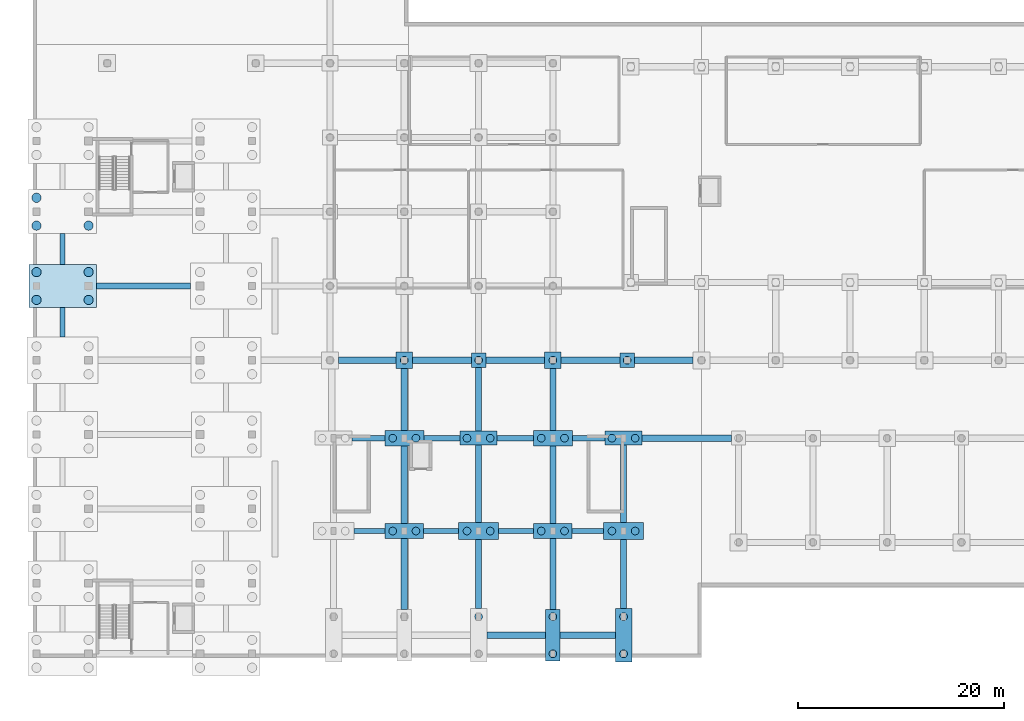
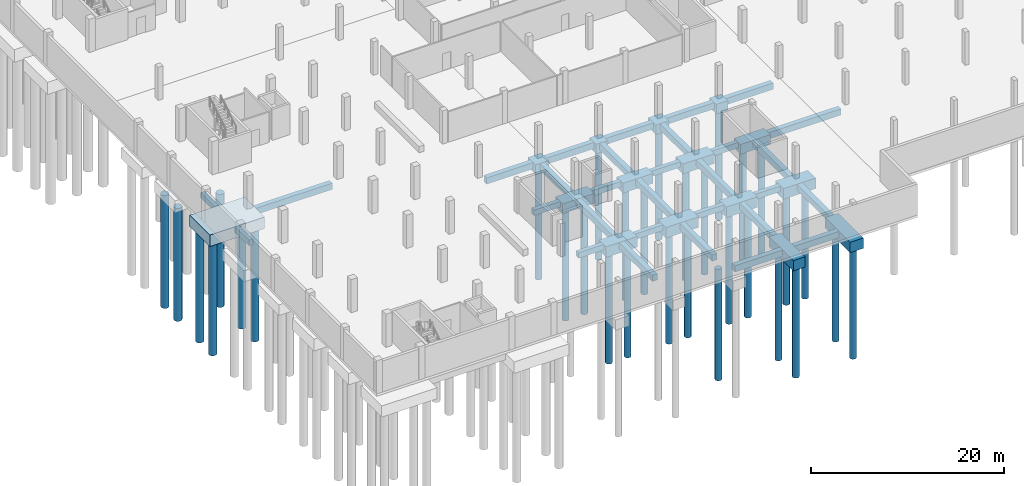
# One storey, part 2 of 36: 45 footings, 32 piles.
"""IFC4 building model written with IfcOpenShell, lengths in metres."""

from ifc_helpers import new_model, si_unit, derived_unit, direction, frame, origin, origin_2d, place, context, subcontext, project, spatial, polyline, rectangle, circle, outline, extrude, material, material_profile, profile_set, type_object, element, save


model = new_model("IFC4")

# Units and contexts
model_context = context("Model", 3, precision=1e-05, world=origin(), true_north=direction((0.0, 1.0)))
body_context = subcontext(model_context, "Body", "Model", "MODEL_VIEW")
ifc_project = project(units=[si_unit("LENGTHUNIT", "METRE"), si_unit("AREAUNIT", "SQUARE_METRE"), si_unit("VOLUMEUNIT", "CUBIC_METRE"), si_unit("PLANEANGLEUNIT", "RADIAN"), si_unit("MASSUNIT", "GRAM", prefix="KILO"), derived_unit("THERMALTRANSMITTANCEUNIT", [(si_unit("MASSUNIT", "GRAM", prefix="KILO"), 1), (si_unit("TIMEUNIT", "SECOND"), -3), (si_unit("THERMODYNAMICTEMPERATUREUNIT", "KELVIN"), -1)])], contexts=[model_context])

# Site, building, storey
site_placement = place(None, origin())
site = spatial("IfcSite", under=ifc_project, at=site_placement, CompositionType="ELEMENT")
building_placement = place(site_placement, origin())
building = spatial("IfcBuilding", under=site, at=building_placement, Name="Ochrekiln Boulevard Commons", CompositionType="ELEMENT")
storey_placement = place(building_placement, frame((0.0, 0.0, -4.199951171875)))
storey = spatial("IfcBuildingStorey", under=building, at=storey_placement, Name="B1", CompositionType="ELEMENT", Elevation=-4.199951171875)

# Footings
ifc_material = material(Name="Concrete C35/45", Category="concrete")
footing_type_1 = type_object("IfcFootingType", Name="CAP-RC-1410x1410x1200", PredefinedType="PILE_CAP", material=ifc_material)
for number, where, z_axis, x_axis, name in (
    (1, (43.199951171875, 28.800048828125, -1.5), (0.0, 0.0, 1.0), (1.0, 0.0, 0.0), "Reinforced Concrete Pile Cap PC-28 (61)"),
    (2, (57.60009765625, 28.800048828125, -1.5), (0.0, 0.0, 1.0), (1.0, 0.0, 0.0), "Reinforced Concrete Pile Cap PC-28 (79)"),
):
    element("IfcFooting", number, at=place(storey_placement, frame(where, z_axis=z_axis, x_axis=x_axis)), inside=storey, type_object=footing_type_1, Name=name, PredefinedType="PILE_CAP", context=body_context, shape_type="SweptSolid", body=[
        extrude(rectangle(XDim=1.409912109375, YDim=1.409912109375, at=origin_2d()), origin(), (0.0, 0.0, 1.0), 1.199951171875),
    ])
footing_type_2 = type_object("IfcFootingType", Name="CAP-RC-1410x5010x1300", PredefinedType="PILE_CAP", material=ifc_material)
footing_1_placement = place(storey_placement, frame((50.39990234375, 2.14990234375, -1.60009765625), z_axis=(0.0, 0.0, 1.0), x_axis=(1.0, 0.0, 0.0)))
element("IfcFooting", 3, at=footing_1_placement, inside=storey, type_object=footing_type_2, Name="Reinforced Concrete Pile Cap PC-34 (67)", PredefinedType="PILE_CAP", context=body_context, shape_type="SweptSolid", body=[
    extrude(rectangle(XDim=1.409912109375, YDim=5.010009765625, at=origin_2d()), origin(), (0.0, 0.0, 1.0), 1.300048828125),
])
footing_type_3 = type_object("IfcFootingType", Name="CAP-RC-1590x1590x1200", PredefinedType="PILE_CAP", material=ifc_material)
for number, where, z_axis, x_axis, name in (
    (4, (36.0, 28.800048828125, -1.5), (0.0, 0.0, 1.0), (1.0, 0.0, 0.0), "Reinforced Concrete Pile Cap PC-26 (52)"),
    (5, (50.39990234375, 28.800048828125, -1.5), (0.0, 0.0, 1.0), (1.0, 0.0, 0.0), "Reinforced Concrete Pile Cap PC-26 (70)"),
):
    element("IfcFooting", number, at=place(storey_placement, frame(where, z_axis=z_axis, x_axis=x_axis)), inside=storey, type_object=footing_type_3, Name=name, PredefinedType="PILE_CAP", context=body_context, shape_type="SweptSolid", body=[
        extrude(rectangle(XDim=1.590087890625, YDim=1.590087890625, at=origin_2d()), origin(), (0.0, 0.0, 1.0), 1.199951171875),
    ])
footing_type_4 = type_object("IfcFootingType", Name="CAP-RC-1590x5190x1300", PredefinedType="PILE_CAP", material=ifc_material)
footing_2_placement = place(storey_placement, frame((57.25, 2.14990234375, -1.60009765625), z_axis=(0.0, 0.0, 1.0), x_axis=(1.0, 0.0, 0.0)))
element("IfcFooting", 6, at=footing_2_placement, inside=storey, type_object=footing_type_4, Name="Reinforced Concrete Pile Cap PC-31 (76)", PredefinedType="PILE_CAP", context=body_context, shape_type="SweptSolid", body=[
    extrude(rectangle(XDim=1.590087890625, YDim=5.18994140625, at=origin_2d()), origin(), (0.0, 0.0, 1.0), 1.300048828125),
])
footing_type_5 = type_object("IfcFootingType", Name="CAP-RC-3600x1350x1250", PredefinedType="PILE_CAP", material=ifc_material)
for number, where, z_axis, x_axis, name in (
    (7, (43.199951171875, 21.25, -1.550048828125), (0.0, 0.0, 1.0), (1.0, 0.0, 0.0), "Reinforced Concrete Pile Cap PC-33 (60)"),
    (8, (57.25, 21.25, -1.550048828125), (0.0, 0.0, 1.0), (1.0, 0.0, 0.0), "Reinforced Concrete Pile Cap PC-33 (78)"),
):
    element("IfcFooting", number, at=place(storey_placement, frame(where, z_axis=z_axis, x_axis=x_axis)), inside=storey, type_object=footing_type_5, Name=name, PredefinedType="PILE_CAP", context=body_context, shape_type="SweptSolid", body=[
        extrude(rectangle(XDim=3.60009765625, YDim=1.35009765625, at=origin_2d()), origin(), (0.0, 0.0, 1.0), 1.25),
    ])
footing_type_6 = type_object("IfcFootingType", Name="CAP-RC-3720x1470x1350", PredefinedType="PILE_CAP", material=ifc_material)
for number, where, z_axis, x_axis, name in (
    (9, (36.0, 12.25, -1.650146484375), (0.0, 0.0, 1.0), (1.0, 0.0, 0.0), "Reinforced Concrete Pile Cap PC-35 (50)"),
    (10, (50.39990234375, 12.25, -1.650146484375), (0.0, 0.0, 1.0), (1.0, 0.0, 0.0), "Reinforced Concrete Pile Cap PC-35 (68)"),
):
    element("IfcFooting", number, at=place(storey_placement, frame(where, z_axis=z_axis, x_axis=x_axis)), inside=storey, type_object=footing_type_6, Name=name, PredefinedType="PILE_CAP", context=body_context, shape_type="SweptSolid", body=[
        extrude(rectangle(XDim=3.719970703125, YDim=1.469970703125, at=origin_2d()), origin(), (0.0, 0.0, 1.0), 1.35009765625),
    ])
footing_type_7 = type_object("IfcFootingType", Name="CAP-RC-3780x1530x1250", PredefinedType="PILE_CAP", material=ifc_material)
for number, where, z_axis, x_axis, name in (
    (11, (36.0, 21.25, -1.550048828125), (0.0, 0.0, 1.0), (1.0, 0.0, 0.0), "Reinforced Concrete Pile Cap PC-36 (51)"),
    (12, (50.39990234375, 21.25, -1.550048828125), (0.0, 0.0, 1.0), (1.0, 0.0, 0.0), "Reinforced Concrete Pile Cap PC-36 (69)"),
):
    element("IfcFooting", number, at=place(storey_placement, frame(where, z_axis=z_axis, x_axis=x_axis)), inside=storey, type_object=footing_type_7, Name=name, PredefinedType="PILE_CAP", context=body_context, shape_type="SweptSolid", body=[
        extrude(rectangle(XDim=3.780029296875, YDim=1.530029296875, at=origin_2d()), origin(), (0.0, 0.0, 1.0), 1.25),
    ])
footing_type_8 = type_object("IfcFootingType", Name="CAP-RC-3900x1650x1350", PredefinedType="PILE_CAP", material=ifc_material)
for number, where, z_axis, x_axis, name in (
    (13, (43.199951171875, 12.25, -1.650146484375), (0.0, 0.0, 1.0), (1.0, 0.0, 0.0), "Reinforced Concrete Pile Cap PC-32 (59)"),
    (14, (57.25, 12.25, -1.650146484375), (0.0, 0.0, 1.0), (1.0, 0.0, 0.0), "Reinforced Concrete Pile Cap PC-32 (77)"),
):
    element("IfcFooting", number, at=place(storey_placement, frame(where, z_axis=z_axis, x_axis=x_axis)), inside=storey, type_object=footing_type_8, Name=name, PredefinedType="PILE_CAP", context=body_context, shape_type="SweptSolid", body=[
        extrude(rectangle(XDim=3.89990234375, YDim=1.64990234375, at=origin_2d()), origin(), (0.0, 0.0, 1.0), 1.35009765625),
    ])
footing_type_9 = type_object("IfcFootingType", Name="CAP-RC-6550x4200x1450", PredefinedType="PILE_CAP", material=ifc_material)
footing_3_placement = place(storey_placement, frame((2.875, 36.0, -1.75), z_axis=(0.0, 0.0, 1.0), x_axis=(1.0, 0.0, 0.0)))
element("IfcFooting", 15, at=footing_3_placement, inside=storey, type_object=footing_type_9, Name="Reinforced Concrete Pile Cap PC-06 (6)", PredefinedType="PILE_CAP", context=body_context, shape_type="SweptSolid", body=[
    extrude(rectangle(XDim=6.550048828125, YDim=4.199951171875, at=origin_2d()), origin(), (0.0, 0.0, 1.0), 1.449951171875),
])
footing_type_10 = type_object("IfcFootingType", Name="FTG-BEAM-500x700", PredefinedType="FOOTING_BEAM", material=ifc_material)
footing_4_placement = place(storey_placement, frame((0.0, 0.0, -1.0)))
element("IfcFooting", 16, at=footing_4_placement, inside=storey, type_object=footing_type_10, Name="Seismic Footing Tie Beam FB-5070 X-14", PredefinedType="FOOTING_BEAM", context=body_context, shape_type="SweptSolid", body=[
    extrude(outline(polyline([(30.949951171875, 21.0), (34.110107421875, 21.0), (34.110107421875, 21.5), (30.949951171875, 21.5), (30.949951171875, 21.0)])), origin(), (0.0, 0.0, 1.0), 0.699951171875),
])
footing_5_placement = place(storey_placement, frame((0.0, 0.0, -1.0)))
element("IfcFooting", 17, at=footing_5_placement, inside=storey, type_object=footing_type_10, Name="Seismic Footing Tie Beam FB-5070 X-15", PredefinedType="FOOTING_BEAM", context=body_context, shape_type="SweptSolid", body=[
    extrude(outline(polyline([(37.889892578125, 21.0), (41.39990234375, 21.0), (41.39990234375, 21.5), (37.889892578125, 21.5), (37.889892578125, 21.0)])), origin(), (0.0, 0.0, 1.0), 0.699951171875),
])
footing_6_placement = place(storey_placement, frame((0.0, 0.0, -1.0)))
element("IfcFooting", 18, at=footing_6_placement, inside=storey, type_object=footing_type_10, Name="Seismic Footing Tie Beam FB-5070 X-16", PredefinedType="FOOTING_BEAM", context=body_context, shape_type="SweptSolid", body=[
    extrude(outline(polyline([(45.0, 21.0), (48.510009765625, 21.0), (48.510009765625, 21.5), (45.0, 21.5), (45.0, 21.0)])), origin(), (0.0, 0.0, 1.0), 0.699951171875),
])
footing_7_placement = place(storey_placement, frame((0.0, 0.0, -1.0)))
element("IfcFooting", 19, at=footing_7_placement, inside=storey, type_object=footing_type_10, Name="Seismic Footing Tie Beam FB-5070 X-17", PredefinedType="FOOTING_BEAM", context=body_context, shape_type="SweptSolid", body=[
    extrude(outline(polyline([(52.2900390625, 21.0), (55.449951171875, 21.0), (55.449951171875, 21.5), (52.2900390625, 21.5), (52.2900390625, 21.0)])), origin(), (0.0, 0.0, 1.0), 0.699951171875),
])
footing_8_placement = place(storey_placement, frame((0.0, 0.0, -1.0)))
element("IfcFooting", 20, at=footing_8_placement, inside=storey, type_object=footing_type_10, Name="Seismic Footing Tie Beam FB-5070 X-148", PredefinedType="FOOTING_BEAM", context=body_context, shape_type="SweptSolid", body=[
    extrude(outline(polyline([(31.10009765625, 12.0), (34.139892578125, 12.0), (34.139892578125, 12.5), (31.10009765625, 12.5), (31.10009765625, 12.0)])), origin(), (0.0, 0.0, 1.0), 0.699951171875),
])
footing_9_placement = place(storey_placement, frame((0.0, 0.0, -1.0)))
element("IfcFooting", 21, at=footing_9_placement, inside=storey, type_object=footing_type_10, Name="Seismic Footing Tie Beam FB-5070 X-149", PredefinedType="FOOTING_BEAM", context=body_context, shape_type="SweptSolid", body=[
    extrude(outline(polyline([(37.860107421875, 12.0), (41.25, 12.0), (41.25, 12.5), (37.860107421875, 12.5), (37.860107421875, 12.0)])), origin(), (0.0, 0.0, 1.0), 0.699951171875),
])
footing_10_placement = place(storey_placement, frame((0.0, 0.0, -1.0)))
element("IfcFooting", 22, at=footing_10_placement, inside=storey, type_object=footing_type_10, Name="Seismic Footing Tie Beam FB-5070 X-150", PredefinedType="FOOTING_BEAM", context=body_context, shape_type="SweptSolid", body=[
    extrude(outline(polyline([(45.14990234375, 12.0), (48.5400390625, 12.0), (48.5400390625, 12.5), (45.14990234375, 12.5), (45.14990234375, 12.0)])), origin(), (0.0, 0.0, 1.0), 0.699951171875),
])
footing_11_placement = place(storey_placement, frame((0.0, 0.0, -1.0)))
element("IfcFooting", 23, at=footing_11_placement, inside=storey, type_object=footing_type_10, Name="Seismic Footing Tie Beam FB-5070 X-151", PredefinedType="FOOTING_BEAM", context=body_context, shape_type="SweptSolid", body=[
    extrude(outline(polyline([(52.260009765625, 12.0), (55.300048828125, 12.0), (55.300048828125, 12.5), (52.260009765625, 12.5), (52.260009765625, 12.0)])), origin(), (0.0, 0.0, 1.0), 0.699951171875),
])
footing_12_placement = place(storey_placement, frame((0.0, 0.0, -1.0)))
element("IfcFooting", 24, at=footing_12_placement, inside=storey, type_object=footing_type_10, Name="Seismic Footing Tie Beam FB-5070 Y-170", PredefinedType="FOOTING_BEAM", context=body_context, shape_type="SweptSolid", body=[
    extrude(outline(polyline([(2.625, 31.050048828125), (3.125, 31.050048828125), (3.125, 33.89990234375), (2.625, 33.89990234375), (2.625, 31.050048828125)])), origin(), (0.0, 0.0, 1.0), 0.699951171875),
])
footing_13_placement = place(storey_placement, frame((0.0, 0.0, -1.0)))
element("IfcFooting", 25, at=footing_13_placement, inside=storey, type_object=footing_type_10, Name="Seismic Footing Tie Beam FB-5070 Y-171", PredefinedType="FOOTING_BEAM", context=body_context, shape_type="SweptSolid", body=[
    extrude(outline(polyline([(2.625, 38.10009765625), (3.125, 38.10009765625), (3.125, 41.070068359375), (2.625, 41.070068359375), (2.625, 38.10009765625)])), origin(), (0.0, 0.0, 1.0), 0.699951171875),
])
footing_type_11 = type_object("IfcFootingType", Name="FTG-BEAM-600x800", PredefinedType="FOOTING_BEAM", material=ifc_material)
footing_14_placement = place(storey_placement, frame((0.0, 0.0, -1.10009765625)))
element("IfcFooting", 26, at=footing_14_placement, inside=storey, type_object=footing_type_11, Name="Seismic Footing Tie Beam FB-6080 X-18", PredefinedType="FOOTING_BEAM", context=body_context, shape_type="SweptSolid", body=[
    extrude(outline(polyline([(59.050048828125, 20.949951171875), (67.72509765625, 20.949951171875), (67.72509765625, 21.550048828125), (59.050048828125, 21.550048828125), (59.050048828125, 20.949951171875)])), origin(), (0.0, 0.0, 1.0), 0.800048828125),
])
footing_15_placement = place(storey_placement, frame((0.0, 0.0, -1.10009765625)))
element("IfcFooting", 27, at=footing_15_placement, inside=storey, type_object=footing_type_11, Name="Seismic Footing Tie Beam FB-6080 X-33", PredefinedType="FOOTING_BEAM", context=body_context, shape_type="SweptSolid", body=[
    extrude(outline(polyline([(29.625, 28.5), (35.205078125, 28.5), (35.205078125, 29.10009765625), (29.625, 29.10009765625), (29.625, 28.5)])), origin(), (0.0, 0.0, 1.0), 0.800048828125),
])
footing_16_placement = place(storey_placement, frame((0.0, 0.0, -1.10009765625)))
element("IfcFooting", 28, at=footing_16_placement, inside=storey, type_object=footing_type_11, Name="Seismic Footing Tie Beam FB-6080 X-34", PredefinedType="FOOTING_BEAM", context=body_context, shape_type="SweptSolid", body=[
    extrude(outline(polyline([(36.794921875, 28.5), (42.4951171875, 28.5), (42.4951171875, 29.10009765625), (36.794921875, 29.10009765625), (36.794921875, 28.5)])), origin(), (0.0, 0.0, 1.0), 0.800048828125),
])
footing_17_placement = place(storey_placement, frame((0.0, 0.0, -1.10009765625)))
element("IfcFooting", 29, at=footing_17_placement, inside=storey, type_object=footing_type_11, Name="Seismic Footing Tie Beam FB-6080 X-35", PredefinedType="FOOTING_BEAM", context=body_context, shape_type="SweptSolid", body=[
    extrude(outline(polyline([(43.905029296875, 28.5), (49.60498046875, 28.5), (49.60498046875, 29.10009765625), (43.905029296875, 29.10009765625), (43.905029296875, 28.5)])), origin(), (0.0, 0.0, 1.0), 0.800048828125),
])
footing_18_placement = place(storey_placement, frame((0.0, 0.0, -1.10009765625)))
element("IfcFooting", 30, at=footing_18_placement, inside=storey, type_object=footing_type_11, Name="Seismic Footing Tie Beam FB-6080 X-36", PredefinedType="FOOTING_BEAM", context=body_context, shape_type="SweptSolid", body=[
    extrude(outline(polyline([(51.195068359375, 28.5), (56.89501953125, 28.5), (56.89501953125, 29.10009765625), (51.195068359375, 29.10009765625), (51.195068359375, 28.5)])), origin(), (0.0, 0.0, 1.0), 0.800048828125),
])
footing_19_placement = place(storey_placement, frame((0.0, 0.0, -1.10009765625)))
element("IfcFooting", 31, at=footing_19_placement, inside=storey, type_object=footing_type_11, Name="Seismic Footing Tie Beam FB-6080 X-37", PredefinedType="FOOTING_BEAM", context=body_context, shape_type="SweptSolid", body=[
    extrude(outline(polyline([(58.304931640625, 28.5), (63.97509765625, 28.5), (63.97509765625, 29.10009765625), (58.304931640625, 29.10009765625), (58.304931640625, 28.5)])), origin(), (0.0, 0.0, 1.0), 0.800048828125),
])
footing_20_placement = place(storey_placement, frame((0.0, 0.0, -1.10009765625)))
element("IfcFooting", 32, at=footing_20_placement, inside=storey, type_object=footing_type_11, Name="Seismic Footing Tie Beam FB-6080 X-52", PredefinedType="FOOTING_BEAM", context=body_context, shape_type="SweptSolid", body=[
    extrude(outline(polyline([(6.14990234375, 35.699951171875), (15.300048828125, 35.699951171875), (15.300048828125, 36.300048828125), (6.14990234375, 36.300048828125), (6.14990234375, 35.699951171875)])), origin(), (0.0, 0.0, 1.0), 0.800048828125),
])
footing_21_placement = place(storey_placement, frame((0.0, 0.0, -1.10009765625)))
element("IfcFooting", 33, at=footing_21_placement, inside=storey, type_object=footing_type_11, Name="Seismic Footing Tie Beam FB-6080 X-142", PredefinedType="FOOTING_BEAM", context=body_context, shape_type="SweptSolid", body=[
    extrude(outline(polyline([(43.9951171875, 1.85009765625), (49.695068359375, 1.85009765625), (49.695068359375, 2.449951171875), (43.9951171875, 2.449951171875), (43.9951171875, 1.85009765625)])), origin(), (0.0, 0.0, 1.0), 0.800048828125),
])
footing_22_placement = place(storey_placement, frame((0.0, 0.0, -1.10009765625)))
element("IfcFooting", 34, at=footing_22_placement, inside=storey, type_object=footing_type_11, Name="Seismic Footing Tie Beam FB-6080 X-143", PredefinedType="FOOTING_BEAM", context=body_context, shape_type="SweptSolid", body=[
    extrude(outline(polyline([(51.10498046875, 1.85009765625), (56.455078125, 1.85009765625), (56.455078125, 2.449951171875), (51.10498046875, 2.449951171875), (51.10498046875, 1.85009765625)])), origin(), (0.0, 0.0, 1.0), 0.800048828125),
])
footing_23_placement = place(storey_placement, frame((0.0, 0.0, -1.10009765625)))
element("IfcFooting", 35, at=footing_23_placement, inside=storey, type_object=footing_type_11, Name="Seismic Footing Tie Beam FB-6080 Y-206", PredefinedType="FOOTING_BEAM", context=body_context, shape_type="SweptSolid", body=[
    extrude(outline(polyline([(35.699951171875, 4.655029296875), (36.300048828125, 4.655029296875), (36.300048828125, 11.514892578125), (35.699951171875, 11.514892578125), (35.699951171875, 4.655029296875)])), origin(), (0.0, 0.0, 1.0), 0.800048828125),
])
footing_24_placement = place(storey_placement, frame((0.0, 0.0, -1.10009765625)))
element("IfcFooting", 36, at=footing_24_placement, inside=storey, type_object=footing_type_11, Name="Seismic Footing Tie Beam FB-6080 Y-207", PredefinedType="FOOTING_BEAM", context=body_context, shape_type="SweptSolid", body=[
    extrude(outline(polyline([(35.699951171875, 12.985107421875), (36.300048828125, 12.985107421875), (36.300048828125, 20.485107421875), (35.699951171875, 20.485107421875), (35.699951171875, 12.985107421875)])), origin(), (0.0, 0.0, 1.0), 0.800048828125),
])
footing_25_placement = place(storey_placement, frame((0.0, 0.0, -1.10009765625)))
element("IfcFooting", 37, at=footing_25_placement, inside=storey, type_object=footing_type_11, Name="Seismic Footing Tie Beam FB-6080 Y-208", PredefinedType="FOOTING_BEAM", context=body_context, shape_type="SweptSolid", body=[
    extrude(outline(polyline([(35.699951171875, 22.014892578125), (36.300048828125, 22.014892578125), (36.300048828125, 28.0048828125), (35.699951171875, 28.0048828125), (35.699951171875, 22.014892578125)])), origin(), (0.0, 0.0, 1.0), 0.800048828125),
])
footing_26_placement = place(storey_placement, frame((0.0, 0.0, -1.10009765625)))
element("IfcFooting", 38, at=footing_26_placement, inside=storey, type_object=footing_type_11, Name="Seismic Footing Tie Beam FB-6080 Y-213", PredefinedType="FOOTING_BEAM", context=body_context, shape_type="SweptSolid", body=[
    extrude(outline(polyline([(42.89990234375, 4.7451171875), (43.5, 4.7451171875), (43.5, 11.425048828125), (42.89990234375, 11.425048828125), (42.89990234375, 4.7451171875)])), origin(), (0.0, 0.0, 1.0), 0.800048828125),
])
footing_27_placement = place(storey_placement, frame((0.0, 0.0, -1.10009765625)))
element("IfcFooting", 39, at=footing_27_placement, inside=storey, type_object=footing_type_11, Name="Seismic Footing Tie Beam FB-6080 Y-214", PredefinedType="FOOTING_BEAM", context=body_context, shape_type="SweptSolid", body=[
    extrude(outline(polyline([(42.89990234375, 13.074951171875), (43.5, 13.074951171875), (43.5, 20.574951171875), (42.89990234375, 20.574951171875), (42.89990234375, 13.074951171875)])), origin(), (0.0, 0.0, 1.0), 0.800048828125),
])
footing_28_placement = place(storey_placement, frame((0.0, 0.0, -1.10009765625)))
element("IfcFooting", 40, at=footing_28_placement, inside=storey, type_object=footing_type_11, Name="Seismic Footing Tie Beam FB-6080 Y-215", PredefinedType="FOOTING_BEAM", context=body_context, shape_type="SweptSolid", body=[
    extrude(outline(polyline([(42.89990234375, 21.925048828125), (43.5, 21.925048828125), (43.5, 28.094970703125), (42.89990234375, 28.094970703125), (42.89990234375, 21.925048828125)])), origin(), (0.0, 0.0, 1.0), 0.800048828125),
])
footing_29_placement = place(storey_placement, frame((0.0, 0.0, -1.10009765625)))
element("IfcFooting", 41, at=footing_29_placement, inside=storey, type_object=footing_type_11, Name="Seismic Footing Tie Beam FB-6080 Y-220", PredefinedType="FOOTING_BEAM", context=body_context, shape_type="SweptSolid", body=[
    extrude(outline(polyline([(50.10009765625, 4.655029296875), (50.699951171875, 4.655029296875), (50.699951171875, 11.514892578125), (50.10009765625, 11.514892578125), (50.10009765625, 4.655029296875)])), origin(), (0.0, 0.0, 1.0), 0.800048828125),
])
footing_30_placement = place(storey_placement, frame((0.0, 0.0, -1.10009765625)))
element("IfcFooting", 42, at=footing_30_placement, inside=storey, type_object=footing_type_11, Name="Seismic Footing Tie Beam FB-6080 Y-221", PredefinedType="FOOTING_BEAM", context=body_context, shape_type="SweptSolid", body=[
    extrude(outline(polyline([(50.10009765625, 12.985107421875), (50.699951171875, 12.985107421875), (50.699951171875, 20.485107421875), (50.10009765625, 20.485107421875), (50.10009765625, 12.985107421875)])), origin(), (0.0, 0.0, 1.0), 0.800048828125),
])
footing_31_placement = place(storey_placement, frame((0.0, 0.0, -1.10009765625)))
element("IfcFooting", 43, at=footing_31_placement, inside=storey, type_object=footing_type_11, Name="Seismic Footing Tie Beam FB-6080 Y-222", PredefinedType="FOOTING_BEAM", context=body_context, shape_type="SweptSolid", body=[
    extrude(outline(polyline([(50.10009765625, 22.014892578125), (50.699951171875, 22.014892578125), (50.699951171875, 28.0048828125), (50.10009765625, 28.0048828125), (50.10009765625, 22.014892578125)])), origin(), (0.0, 0.0, 1.0), 0.800048828125),
])
footing_32_placement = place(storey_placement, frame((0.0, 0.0, -1.10009765625)))
element("IfcFooting", 44, at=footing_32_placement, inside=storey, type_object=footing_type_11, Name="Seismic Footing Tie Beam FB-6080 Y-227", PredefinedType="FOOTING_BEAM", context=body_context, shape_type="SweptSolid", body=[
    extrude(outline(polyline([(56.949951171875, 4.7451171875), (57.550048828125, 4.7451171875), (57.550048828125, 11.425048828125), (56.949951171875, 11.425048828125), (56.949951171875, 4.7451171875)])), origin(), (0.0, 0.0, 1.0), 0.800048828125),
])
footing_33_placement = place(storey_placement, frame((0.0, 0.0, -1.10009765625)))
element("IfcFooting", 45, at=footing_33_placement, inside=storey, type_object=footing_type_11, Name="Seismic Footing Tie Beam FB-6080 Y-228", PredefinedType="FOOTING_BEAM", context=body_context, shape_type="SweptSolid", body=[
    extrude(outline(polyline([(56.949951171875, 13.074951171875), (57.550048828125, 13.074951171875), (57.550048828125, 20.574951171875), (56.949951171875, 20.574951171875), (56.949951171875, 13.074951171875)])), origin(), (0.0, 0.0, 1.0), 0.800048828125),
])

# Piles
ifc_material_profile_1 = material_profile(ifc_material, circle(Radius=0.375, at=origin_2d()), Name="PILE-D750")
ifc_profile_set_1 = profile_set([ifc_material_profile_1], Name="Concrete C35/45")
pile_type_1 = type_object("IfcPileType", Name="PILE-BORED-750", PredefinedType="BORED", material=ifc_profile_set_1)
for number, where, z_axis, x_axis, name in (
    (46, (34.875, 12.25, -1.550048828125), (0.0, 0.0, -1.0), (1.0, 0.0, 0.0), "Caliche-Socketed Bored Pile BP-750 (50.1)"),
    (47, (37.125, 12.25, -1.550048828125), (0.0, 0.0, -1.0), (1.0, 0.0, 0.0), "Caliche-Socketed Bored Pile BP-750 (50.2)"),
):
    element("IfcPile", number, at=place(storey_placement, frame(where, z_axis=z_axis, x_axis=x_axis)), inside=storey, type_object=pile_type_1, Name=name, PredefinedType="BORED", context=body_context, shape_type="SweptSolid", body=[
        extrude(circle(Radius=0.375, at=origin_2d()), origin(), (0.0, 0.0, 1.0), 14.050048828125),
    ])
for number, where, z_axis, x_axis, name in (
    (48, (34.875, 21.25, -1.449951171875), (0.0, 0.0, -1.0), (1.0, 0.0, 0.0), "Caliche-Socketed Bored Pile BP-750 (51.1)"),
    (49, (37.125, 21.25, -1.449951171875), (0.0, 0.0, -1.0), (1.0, 0.0, 0.0), "Caliche-Socketed Bored Pile BP-750 (51.2)"),
):
    element("IfcPile", number, at=place(storey_placement, frame(where, z_axis=z_axis, x_axis=x_axis)), inside=storey, type_object=pile_type_1, Name=name, PredefinedType="BORED", context=body_context, shape_type="SweptSolid", body=[
        extrude(circle(Radius=0.375, at=origin_2d()), origin(), (0.0, 0.0, 1.0), 14.14990234375),
    ])
pile_1_placement = place(storey_placement, frame((36.0, 28.800048828125, -1.400146484375), z_axis=(0.0, 0.0, -1.0), x_axis=(1.0, 0.0, 0.0)))
element("IfcPile", 50, at=pile_1_placement, inside=storey, type_object=pile_type_1, Name="Caliche-Socketed Bored Pile BP-750 (52.1)", PredefinedType="BORED", context=body_context, shape_type="SweptSolid", body=[
    extrude(circle(Radius=0.375, at=origin_2d()), origin(), (0.0, 0.0, 1.0), 14.0),
])
pile_2_placement = place(storey_placement, frame((43.199951171875, 3.949951171875, -1.5), z_axis=(0.0, 0.0, -1.0), x_axis=(1.0, 0.0, 0.0)))
element("IfcPile", 51, at=pile_2_placement, inside=storey, type_object=pile_type_1, Name="Caliche-Socketed Bored Pile BP-750 (58.2)", PredefinedType="BORED", context=body_context, shape_type="SweptSolid", body=[
    extrude(circle(Radius=0.375, at=origin_2d()), origin(), (0.0, 0.0, 1.0), 14.10009765625),
])
for number, where, z_axis, x_axis, name in (
    (52, (42.074951171875, 12.25, -1.550048828125), (0.0, 0.0, -1.0), (1.0, 0.0, 0.0), "Caliche-Socketed Bored Pile BP-750 (59.1)"),
    (53, (44.324951171875, 12.25, -1.550048828125), (0.0, 0.0, -1.0), (1.0, 0.0, 0.0), "Caliche-Socketed Bored Pile BP-750 (59.2)"),
):
    element("IfcPile", number, at=place(storey_placement, frame(where, z_axis=z_axis, x_axis=x_axis)), inside=storey, type_object=pile_type_1, Name=name, PredefinedType="BORED", context=body_context, shape_type="SweptSolid", body=[
        extrude(circle(Radius=0.375, at=origin_2d()), origin(), (0.0, 0.0, 1.0), 14.050048828125),
    ])
for number, where, z_axis, x_axis, name in (
    (54, (42.074951171875, 21.25, -1.449951171875), (0.0, 0.0, -1.0), (1.0, 0.0, 0.0), "Caliche-Socketed Bored Pile BP-750 (60.1)"),
    (55, (44.324951171875, 21.25, -1.449951171875), (0.0, 0.0, -1.0), (1.0, 0.0, 0.0), "Caliche-Socketed Bored Pile BP-750 (60.2)"),
):
    element("IfcPile", number, at=place(storey_placement, frame(where, z_axis=z_axis, x_axis=x_axis)), inside=storey, type_object=pile_type_1, Name=name, PredefinedType="BORED", context=body_context, shape_type="SweptSolid", body=[
        extrude(circle(Radius=0.375, at=origin_2d()), origin(), (0.0, 0.0, 1.0), 14.14990234375),
    ])
pile_3_placement = place(storey_placement, frame((43.199951171875, 28.800048828125, -1.400146484375), z_axis=(0.0, 0.0, -1.0), x_axis=(1.0, 0.0, 0.0)))
element("IfcPile", 56, at=pile_3_placement, inside=storey, type_object=pile_type_1, Name="Caliche-Socketed Bored Pile BP-750 (61.1)", PredefinedType="BORED", context=body_context, shape_type="SweptSolid", body=[
    extrude(circle(Radius=0.375, at=origin_2d()), origin(), (0.0, 0.0, 1.0), 14.0),
])
for number, where, z_axis, x_axis, name in (
    (57, (50.39990234375, 0.35009765625, -1.5), (0.0, 0.0, -1.0), (1.0, 0.0, 0.0), "Caliche-Socketed Bored Pile BP-750 (67.1)"),
    (58, (50.39990234375, 3.949951171875, -1.5), (0.0, 0.0, -1.0), (1.0, 0.0, 0.0), "Caliche-Socketed Bored Pile BP-750 (67.2)"),
):
    element("IfcPile", number, at=place(storey_placement, frame(where, z_axis=z_axis, x_axis=x_axis)), inside=storey, type_object=pile_type_1, Name=name, PredefinedType="BORED", context=body_context, shape_type="SweptSolid", body=[
        extrude(circle(Radius=0.375, at=origin_2d()), origin(), (0.0, 0.0, 1.0), 14.10009765625),
    ])
for number, where, z_axis, x_axis, name in (
    (59, (49.27490234375, 12.25, -1.550048828125), (0.0, 0.0, -1.0), (1.0, 0.0, 0.0), "Caliche-Socketed Bored Pile BP-750 (68.1)"),
    (60, (51.52490234375, 12.25, -1.550048828125), (0.0, 0.0, -1.0), (1.0, 0.0, 0.0), "Caliche-Socketed Bored Pile BP-750 (68.2)"),
):
    element("IfcPile", number, at=place(storey_placement, frame(where, z_axis=z_axis, x_axis=x_axis)), inside=storey, type_object=pile_type_1, Name=name, PredefinedType="BORED", context=body_context, shape_type="SweptSolid", body=[
        extrude(circle(Radius=0.375, at=origin_2d()), origin(), (0.0, 0.0, 1.0), 14.050048828125),
    ])
for number, where, z_axis, x_axis, name in (
    (61, (49.27490234375, 21.25, -1.449951171875), (0.0, 0.0, -1.0), (1.0, 0.0, 0.0), "Caliche-Socketed Bored Pile BP-750 (69.1)"),
    (62, (51.52490234375, 21.25, -1.449951171875), (0.0, 0.0, -1.0), (1.0, 0.0, 0.0), "Caliche-Socketed Bored Pile BP-750 (69.2)"),
):
    element("IfcPile", number, at=place(storey_placement, frame(where, z_axis=z_axis, x_axis=x_axis)), inside=storey, type_object=pile_type_1, Name=name, PredefinedType="BORED", context=body_context, shape_type="SweptSolid", body=[
        extrude(circle(Radius=0.375, at=origin_2d()), origin(), (0.0, 0.0, 1.0), 14.14990234375),
    ])
pile_4_placement = place(storey_placement, frame((50.39990234375, 28.800048828125, -1.400146484375), z_axis=(0.0, 0.0, -1.0), x_axis=(1.0, 0.0, 0.0)))
element("IfcPile", 63, at=pile_4_placement, inside=storey, type_object=pile_type_1, Name="Caliche-Socketed Bored Pile BP-750 (70.1)", PredefinedType="BORED", context=body_context, shape_type="SweptSolid", body=[
    extrude(circle(Radius=0.375, at=origin_2d()), origin(), (0.0, 0.0, 1.0), 14.0),
])
for number, where, z_axis, x_axis, name in (
    (64, (57.25, 0.35009765625, -1.5), (0.0, 0.0, -1.0), (1.0, 0.0, 0.0), "Caliche-Socketed Bored Pile BP-750 (76.1)"),
    (65, (57.25, 3.949951171875, -1.5), (0.0, 0.0, -1.0), (1.0, 0.0, 0.0), "Caliche-Socketed Bored Pile BP-750 (76.2)"),
):
    element("IfcPile", number, at=place(storey_placement, frame(where, z_axis=z_axis, x_axis=x_axis)), inside=storey, type_object=pile_type_1, Name=name, PredefinedType="BORED", context=body_context, shape_type="SweptSolid", body=[
        extrude(circle(Radius=0.375, at=origin_2d()), origin(), (0.0, 0.0, 1.0), 14.10009765625),
    ])
for number, where, z_axis, x_axis, name in (
    (66, (56.125, 12.25, -1.550048828125), (0.0, 0.0, -1.0), (1.0, 0.0, 0.0), "Caliche-Socketed Bored Pile BP-750 (77.1)"),
    (67, (58.375, 12.25, -1.550048828125), (0.0, 0.0, -1.0), (1.0, 0.0, 0.0), "Caliche-Socketed Bored Pile BP-750 (77.2)"),
):
    element("IfcPile", number, at=place(storey_placement, frame(where, z_axis=z_axis, x_axis=x_axis)), inside=storey, type_object=pile_type_1, Name=name, PredefinedType="BORED", context=body_context, shape_type="SweptSolid", body=[
        extrude(circle(Radius=0.375, at=origin_2d()), origin(), (0.0, 0.0, 1.0), 14.050048828125),
    ])
for number, where, z_axis, x_axis, name in (
    (68, (56.125, 21.25, -1.449951171875), (0.0, 0.0, -1.0), (1.0, 0.0, 0.0), "Caliche-Socketed Bored Pile BP-750 (78.1)"),
    (69, (58.375, 21.25, -1.449951171875), (0.0, 0.0, -1.0), (1.0, 0.0, 0.0), "Caliche-Socketed Bored Pile BP-750 (78.2)"),
):
    element("IfcPile", number, at=place(storey_placement, frame(where, z_axis=z_axis, x_axis=x_axis)), inside=storey, type_object=pile_type_1, Name=name, PredefinedType="BORED", context=body_context, shape_type="SweptSolid", body=[
        extrude(circle(Radius=0.375, at=origin_2d()), origin(), (0.0, 0.0, 1.0), 14.14990234375),
    ])
pile_5_placement = place(storey_placement, frame((57.60009765625, 28.800048828125, -1.400146484375), z_axis=(0.0, 0.0, -1.0), x_axis=(1.0, 0.0, 0.0)))
element("IfcPile", 70, at=pile_5_placement, inside=storey, type_object=pile_type_1, Name="Caliche-Socketed Bored Pile BP-750 (79.1)", PredefinedType="BORED", context=body_context, shape_type="SweptSolid", body=[
    extrude(circle(Radius=0.375, at=origin_2d()), origin(), (0.0, 0.0, 1.0), 14.0),
])
ifc_material_profile_2 = material_profile(ifc_material, circle(Radius=0.449951171875, at=origin_2d()), Name="PILE-D900")
ifc_profile_set_2 = profile_set([ifc_material_profile_2], Name="Concrete C35/45")
pile_type_2 = type_object("IfcPileType", Name="PILE-BORED-900", PredefinedType="BORED", material=ifc_profile_set_2)
for number, where, z_axis, x_axis, name in (
    (71, (0.35009765625, 34.64990234375, -1.650146484375), (0.0, 0.0, -1.0), (1.0, 0.0, 0.0), "Caliche-Socketed Bored Pile BP-900 (6.1)"),
    (72, (0.35009765625, 37.35009765625, -1.650146484375), (0.0, 0.0, -1.0), (1.0, 0.0, 0.0), "Caliche-Socketed Bored Pile BP-900 (6.2)"),
    (73, (5.39990234375, 34.64990234375, -1.650146484375), (0.0, 0.0, -1.0), (1.0, 0.0, 0.0), "Caliche-Socketed Bored Pile BP-900 (6.3)"),
    (74, (5.39990234375, 37.35009765625, -1.650146484375), (0.0, 0.0, -1.0), (1.0, 0.0, 0.0), "Caliche-Socketed Bored Pile BP-900 (6.4)"),
):
    element("IfcPile", number, at=place(storey_placement, frame(where, z_axis=z_axis, x_axis=x_axis)), inside=storey, type_object=pile_type_2, Name=name, PredefinedType="BORED", context=body_context, shape_type="SweptSolid", body=[
        extrude(circle(Radius=0.449951171875, at=origin_2d()), origin(), (0.0, 0.0, 1.0), 14.35009765625),
    ])
for number, where, z_axis, x_axis, name in (
    (75, (0.35009765625, 41.85009765625, -1.699951171875), (0.0, 0.0, -1.0), (1.0, 0.0, 0.0), "Caliche-Socketed Bored Pile BP-900 (7.1)"),
    (76, (0.35009765625, 44.550048828125, -1.699951171875), (0.0, 0.0, -1.0), (1.0, 0.0, 0.0), "Caliche-Socketed Bored Pile BP-900 (7.2)"),
    (77, (5.39990234375, 41.85009765625, -1.699951171875), (0.0, 0.0, -1.0), (1.0, 0.0, 0.0), "Caliche-Socketed Bored Pile BP-900 (7.3)"),
):
    element("IfcPile", number, at=place(storey_placement, frame(where, z_axis=z_axis, x_axis=x_axis)), inside=storey, type_object=pile_type_2, Name=name, PredefinedType="BORED", context=body_context, shape_type="SweptSolid", body=[
        extrude(circle(Radius=0.449951171875, at=origin_2d()), origin(), (0.0, 0.0, 1.0), 14.300048828125),
    ])

save(model, "model.ifc")
